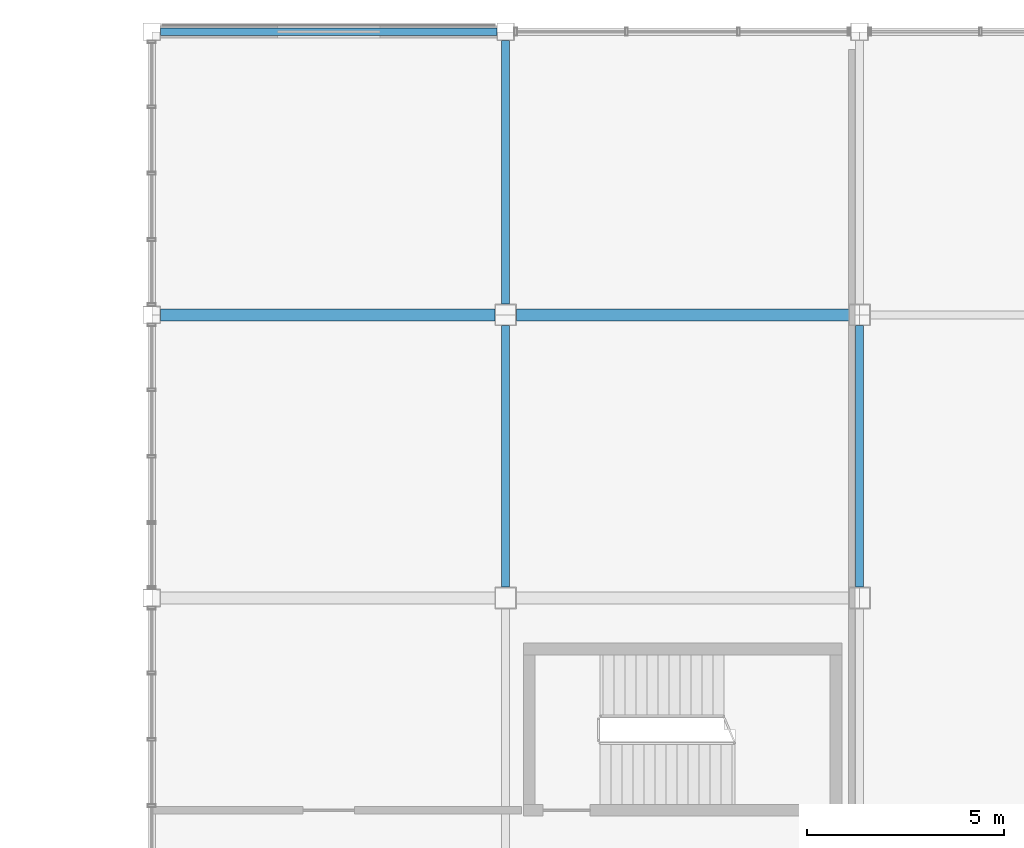
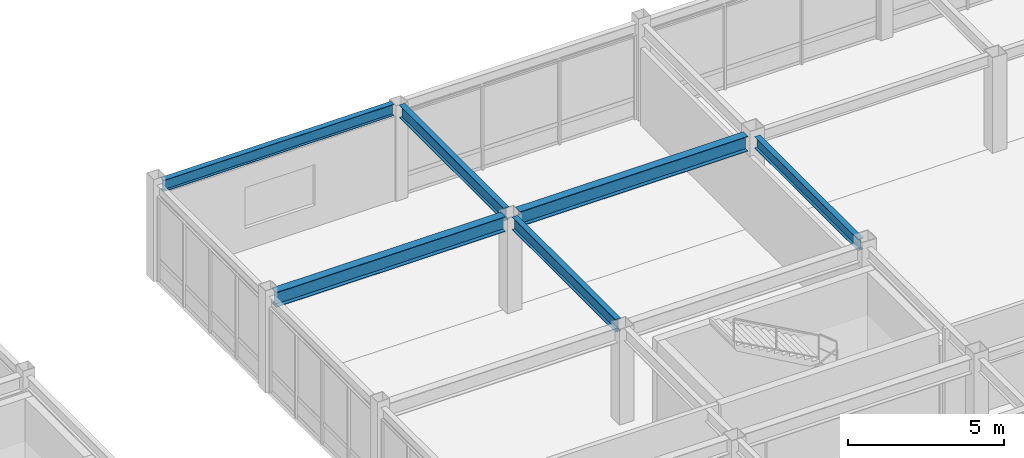
# One storey, part 63 of 113: 6 beams.
"""IFC4 building model written with IfcOpenShell, lengths in metres."""

from ifc_helpers import new_model, si_unit, direction, frame, origin, origin_2d, place, context, subcontext, project, spatial, i_section, extrude, material, material_profile, profile_set, type_object, element, save


model = new_model("IFC4")

# Units and contexts
model_context = context("Model", 3, precision=1e-05, world=origin(), true_north=direction((0.0, 1.0)))
body_context = subcontext(model_context, "Body", "Model", "MODEL_VIEW")
ifc_project = project(units=[si_unit("LENGTHUNIT", "METRE"), si_unit("AREAUNIT", "SQUARE_METRE"), si_unit("VOLUMEUNIT", "CUBIC_METRE"), si_unit("PLANEANGLEUNIT", "RADIAN"), si_unit("MASSUNIT", "GRAM", prefix="KILO")], contexts=[model_context])

# Site, building, storey
site_placement = place(None, origin())
site = spatial("IfcSite", under=ifc_project, at=site_placement, CompositionType="ELEMENT")
building_placement = place(site_placement, origin())
building = spatial("IfcBuilding", under=site, at=building_placement, Name="Kazanami Central Library", CompositionType="ELEMENT")
storey_placement = place(building_placement, frame((0.0, 0.0, 8.800048828125)))
storey = spatial("IfcBuildingStorey", under=building, at=storey_placement, Name="L03", CompositionType="ELEMENT", Elevation=8.800048828125)

# Beams
ifc_material = material(Name="Steel SN490B (325 MPa)", Category="steel")
ifc_material_profile_1 = material_profile(ifc_material, i_section(OverallWidth=0.300048828125, OverallDepth=0.587890625, WebThickness=0.011962890625, FlangeThickness=0.02001953125, at=origin_2d()), Name="H-588x300x12x20")
ifc_profile_set_1 = profile_set([ifc_material_profile_1], Name="Steel SN490B (325 MPa)")
beam_type_1 = type_object("IfcBeamType", Name="BM-G-X2", PredefinedType="BEAM", material=ifc_profile_set_1)
beam_1_placement = place(storey_placement, frame((45.222900390625, 86.39990234375, 3.450927734375), z_axis=(1.0, 0.0, 0.0), x_axis=(0.0, 1.0, 0.0)))
element("IfcBeam", 1, at=beam_1_placement, inside=storey, type_object=beam_type_1, Name="Girder G-X2 L03 N/6-7", PredefinedType="BEAM", context=body_context, shape_type="SweptSolid", body=[
    extrude(i_section(OverallWidth=0.300048828125, OverallDepth=0.587890625, WebThickness=0.011962890625, FlangeThickness=0.02001953125, at=origin_2d()), origin(), (0.0, 0.0, 1.0), 8.504150390625),
])
beam_2_placement = place(storey_placement, frame((54.27294921875, 86.39990234375, 3.450927734375), z_axis=(1.0, 0.0, 0.0), x_axis=(0.0, 1.0, 0.0)))
element("IfcBeam", 2, at=beam_2_placement, inside=storey, type_object=beam_type_1, Name="Girder G-X2 L03 N/7-8", PredefinedType="BEAM", context=body_context, shape_type="SweptSolid", body=[
    extrude(i_section(OverallWidth=0.300048828125, OverallDepth=0.587890625, WebThickness=0.011962890625, FlangeThickness=0.02001953125, at=origin_2d()), origin(), (0.0, 0.0, 1.0), 8.4541015625),
])
ifc_material_profile_2 = material_profile(ifc_material, i_section(OverallWidth=0.199951171875, OverallDepth=0.5, WebThickness=0.010009765625, FlangeThickness=0.01611328125, at=origin_2d()), Name="H-500x200x10x16")
ifc_profile_set_2 = profile_set([ifc_material_profile_2], Name="Steel SN490B (325 MPa)")
beam_type_2 = type_object("IfcBeamType", Name="BM-G-Y2", PredefinedType="BEAM", material=ifc_profile_set_2)
beam_3_placement = place(storey_placement, frame((54.0, 79.472900390625, 3.494873046875), z_axis=(0.0, 1.0, 0.0), x_axis=(-1.0, 0.0, 0.0)))
element("IfcBeam", 3, at=beam_3_placement, inside=storey, type_object=beam_type_2, Name="Girder G-Y2 L03 7/M-N", PredefinedType="BEAM", context=body_context, shape_type="SweptSolid", body=[
    extrude(i_section(OverallWidth=0.199951171875, OverallDepth=0.5, WebThickness=0.010009765625, FlangeThickness=0.01611328125, at=origin_2d()), origin(), (0.0, 0.0, 1.0), 6.654052734375),
])
beam_4_placement = place(storey_placement, frame((54.0, 86.673095703125, 3.494873046875), z_axis=(0.0, 1.0, 0.0), x_axis=(-1.0, 0.0, 0.0)))
element("IfcBeam", 4, at=beam_4_placement, inside=storey, type_object=beam_type_2, Name="Girder G-Y2 L03 7/N-O", PredefinedType="BEAM", context=body_context, shape_type="SweptSolid", body=[
    extrude(i_section(OverallWidth=0.199951171875, OverallDepth=0.5, WebThickness=0.010009765625, FlangeThickness=0.01611328125, at=origin_2d()), origin(), (0.0, 0.0, 1.0), 6.703857421875),
])
ifc_material_profile_3 = material_profile(ifc_material, i_section(OverallWidth=0.199951171875, OverallDepth=0.449951171875, WebThickness=0.009033203125, FlangeThickness=0.013916015625, at=origin_2d()), Name="H-450x200x9x14")
ifc_profile_set_3 = profile_set([ifc_material_profile_3], Name="Steel SN490B (325 MPa)")
beam_type_3 = type_object("IfcBeamType", Name="BM-SP-2", PredefinedType="SPANDREL", material=ifc_profile_set_3)
beam_5_placement = place(storey_placement, frame((45.222900390625, 93.60009765625, 3.52001953125), z_axis=(1.0, 0.0, 0.0), x_axis=(0.0, 1.0, 0.0)))
element("IfcBeam", 5, at=beam_5_placement, inside=storey, type_object=beam_type_3, Name="Girder SP-2 L03 O/6-7", PredefinedType="SPANDREL", context=body_context, shape_type="SweptSolid", body=[
    extrude(i_section(OverallWidth=0.199951171875, OverallDepth=0.449951171875, WebThickness=0.009033203125, FlangeThickness=0.013916015625, at=origin_2d()), origin(), (0.0, 0.0, 1.0), 8.55419921875),
])
beam_6_placement = place(storey_placement, frame((63.0, 79.472900390625, 3.52001953125), z_axis=(0.0, 1.0, 0.0), x_axis=(-1.0, 0.0, 0.0)))
element("IfcBeam", 6, at=beam_6_placement, inside=storey, type_object=beam_type_3, Name="Girder SP-2 L03 8/M-N", PredefinedType="SPANDREL", context=body_context, shape_type="SweptSolid", body=[
    extrude(i_section(OverallWidth=0.199951171875, OverallDepth=0.449951171875, WebThickness=0.009033203125, FlangeThickness=0.013916015625, at=origin_2d()), origin(), (0.0, 0.0, 1.0), 6.654052734375),
])

save(model, "model.ifc")
